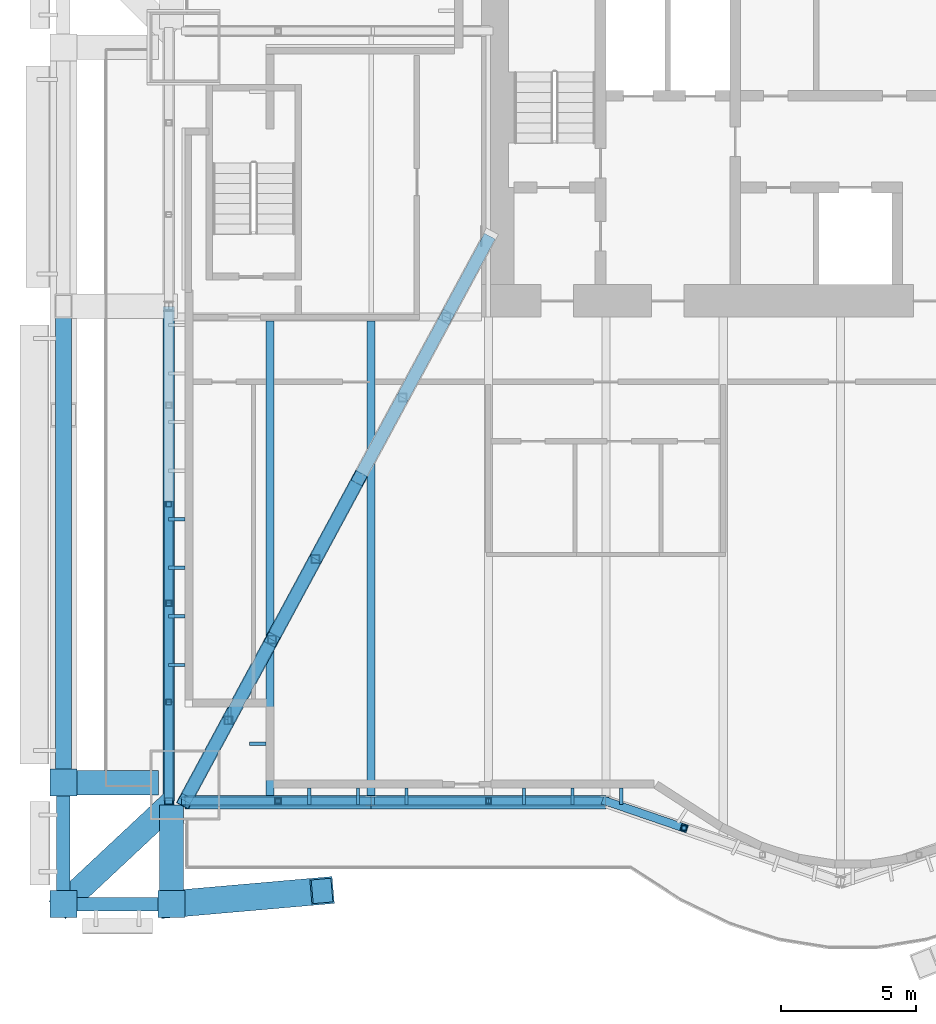
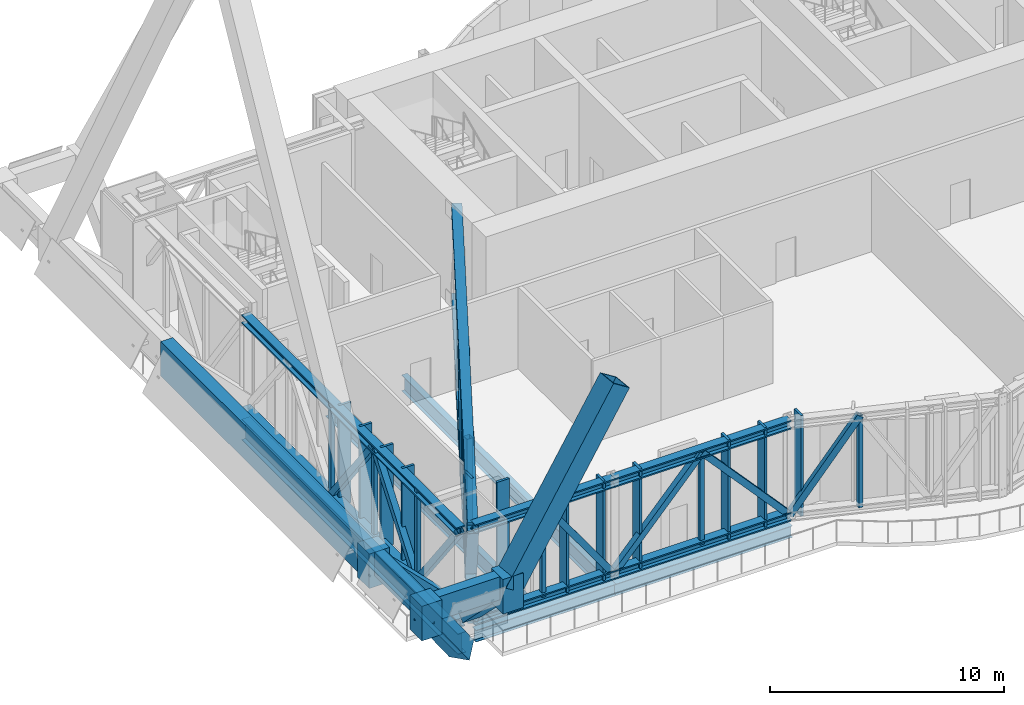
# One storey, part 4 of 30: 48 members, 8 beams, 1 element without a shape of its own.
"""IFC4 building model written with IfcOpenShell, lengths in metres."""

from ifc_helpers import new_model, si_unit, direction, frame, origin, origin_2d, place, context, subcontext, project, spatial, rectangle, hollow_rectangle, i_section, extrude, material, material_profile, profile_set, type_object, element, aggregate, save


model = new_model("IFC4")

# Units and contexts
model_context = context("Model", 3, precision=1e-05, world=origin(), true_north=direction((0.0, 1.0)))
body_context = subcontext(model_context, "Body", "Model", "MODEL_VIEW")
ifc_project = project(units=[si_unit("LENGTHUNIT", "METRE"), si_unit("AREAUNIT", "SQUARE_METRE"), si_unit("VOLUMEUNIT", "CUBIC_METRE"), si_unit("PLANEANGLEUNIT", "RADIAN"), si_unit("MASSUNIT", "GRAM", prefix="KILO")], contexts=[model_context])

# Site, building, storey
site_placement = place(None, origin())
site = spatial("IfcSite", under=ifc_project, at=site_placement, CompositionType="ELEMENT")
building_placement = place(site_placement, origin())
building = spatial("IfcBuilding", under=site, at=building_placement, Name="Bicima Exchange Tower", CompositionType="ELEMENT")
storey_placement = place(building_placement, frame((0.0, 0.0, 185.5)))
storey = spatial("IfcBuildingStorey", under=building, at=storey_placement, Name="L41", CompositionType="ELEMENT", Elevation=185.5)

# Curtain wall, members
ifc_material_1 = material(Name="Anodised bronze aluminium", Category="aluminium")
curtain_wall_type = type_object("IfcCurtainWallType", Name="Band blade screen", PredefinedType="NOTDEFINED", material=ifc_material_1)
curtain_wall_placement = place(storey_placement, origin())
curtain_wall = element("IfcCurtainWall", 1, at=curtain_wall_placement, inside=storey, type_object=curtain_wall_type, Name="Band blade screen L41", PredefinedType="NOTDEFINED")
ifc_material_profile_1 = material_profile(ifc_material_1, rectangle(XDim=0.60009765625, YDim=0.1201171875, at=origin_2d()))
ifc_profile_set_1 = profile_set([ifc_material_profile_1], Name="Anodised bronze aluminium")
member_type_1 = type_object("IfcMemberType", Name="Band blade fin 600 x 120", PredefinedType="USERDEFINED", material=ifc_profile_set_1)
member_1_placement = place(storey_placement, frame((-33.300048828125, -20.4921875, 0.0), z_axis=(0.0, 0.0, 1.0), x_axis=(1.0, 0.0, 0.0)))
member_1 = element("IfcMember", 2, at=member_1_placement, type_object=member_type_1, Name="Band blade fin 17", ObjectType="FIN", PredefinedType="USERDEFINED", context=body_context, shape_type="SweptSolid", body=[
    extrude(rectangle(XDim=0.60009765625, YDim=0.1201171875, at=origin_2d()), origin(), (0.0, 0.0, 1.0), 5.25),
])
member_2_placement = place(storey_placement, frame((-33.300048828125, -22.2919921875, 0.0), z_axis=(0.0, 0.0, 1.0), x_axis=(1.0, 0.0, 0.0)))
member_2 = element("IfcMember", 3, at=member_2_placement, type_object=member_type_1, Name="Band blade fin 18", ObjectType="FIN", PredefinedType="USERDEFINED", context=body_context, shape_type="SweptSolid", body=[
    extrude(rectangle(XDim=0.60009765625, YDim=0.1201171875, at=origin_2d()), origin(), (0.0, 0.0, 1.0), 5.25),
])
member_3_placement = place(storey_placement, frame((-33.300048828125, -24.092041015625, 0.0), z_axis=(0.0, 0.0, 1.0), x_axis=(1.0, 0.0, 0.0)))
member_3 = element("IfcMember", 4, at=member_3_placement, type_object=member_type_1, Name="Band blade fin 19", ObjectType="FIN", PredefinedType="USERDEFINED", context=body_context, shape_type="SweptSolid", body=[
    extrude(rectangle(XDim=0.60009765625, YDim=0.1201171875, at=origin_2d()), origin(), (0.0, 0.0, 1.0), 5.25),
])
member_4_placement = place(storey_placement, frame((-33.300048828125, -25.89208984375, 0.0), z_axis=(0.0, 0.0, 1.0), x_axis=(1.0, 0.0, 0.0)))
member_4 = element("IfcMember", 5, at=member_4_placement, type_object=member_type_1, Name="Band blade fin 20", ObjectType="FIN", PredefinedType="USERDEFINED", context=body_context, shape_type="SweptSolid", body=[
    extrude(rectangle(XDim=0.60009765625, YDim=0.1201171875, at=origin_2d()), origin(), (0.0, 0.0, 1.0), 5.25),
])
member_5_placement = place(storey_placement, frame((-31.35009765625, -27.760009765625, 0.0), z_axis=(0.0, 0.0, 1.0), x_axis=(0.0, 1.0, 0.0)))
member_5 = element("IfcMember", 6, at=member_5_placement, type_object=member_type_1, Name="Band blade fin 21", ObjectType="FIN", PredefinedType="USERDEFINED", context=body_context, shape_type="SweptSolid", body=[
    extrude(rectangle(XDim=0.60009765625, YDim=0.1201171875, at=origin_2d()), origin(), (0.0, 0.0, 1.0), 5.25),
])
member_6_placement = place(storey_placement, frame((-30.300048828125, -28.81005859375, 0.0), z_axis=(0.0, 0.0, 1.0), x_axis=(1.0, 0.0, 0.0)))
member_6 = element("IfcMember", 7, at=member_6_placement, type_object=member_type_1, Name="Band blade fin 22", ObjectType="FIN", PredefinedType="USERDEFINED", context=body_context, shape_type="SweptSolid", body=[
    extrude(rectangle(XDim=0.60009765625, YDim=0.1201171875, at=origin_2d()), origin(), (0.0, 0.0, 1.0), 5.25),
])
member_7_placement = place(storey_placement, frame((-28.38720703125, -30.760009765625, 0.0), z_axis=(0.0, 0.0, 1.0), x_axis=(0.0, 1.0, 0.0)))
member_7 = element("IfcMember", 8, at=member_7_placement, type_object=member_type_1, Name="Band blade fin 23", ObjectType="FIN", PredefinedType="USERDEFINED", context=body_context, shape_type="SweptSolid", body=[
    extrude(rectangle(XDim=0.60009765625, YDim=0.1201171875, at=origin_2d()), origin(), (0.0, 0.0, 1.0), 5.25),
])
member_8_placement = place(storey_placement, frame((-26.587158203125, -30.760009765625, 0.0), z_axis=(0.0, 0.0, 1.0), x_axis=(0.0, 1.0, 0.0)))
member_8 = element("IfcMember", 9, at=member_8_placement, type_object=member_type_1, Name="Band blade fin 24", ObjectType="FIN", PredefinedType="USERDEFINED", context=body_context, shape_type="SweptSolid", body=[
    extrude(rectangle(XDim=0.60009765625, YDim=0.1201171875, at=origin_2d()), origin(), (0.0, 0.0, 1.0), 5.25),
])
member_9_placement = place(storey_placement, frame((-24.787109375, -30.760009765625, 0.0), z_axis=(0.0, 0.0, 1.0), x_axis=(0.0, 1.0, 0.0)))
member_9 = element("IfcMember", 10, at=member_9_placement, type_object=member_type_1, Name="Band blade fin 25", ObjectType="FIN", PredefinedType="USERDEFINED", context=body_context, shape_type="SweptSolid", body=[
    extrude(rectangle(XDim=0.60009765625, YDim=0.1201171875, at=origin_2d()), origin(), (0.0, 0.0, 1.0), 5.25),
])
member_10_placement = place(storey_placement, frame((-20.432373046875, -30.760009765625, 0.0), z_axis=(0.0, 0.0, 1.0), x_axis=(0.0, 1.0, 0.0)))
member_10 = element("IfcMember", 11, at=member_10_placement, type_object=member_type_1, Name="Band blade fin 26", ObjectType="FIN", PredefinedType="USERDEFINED", context=body_context, shape_type="SweptSolid", body=[
    extrude(rectangle(XDim=0.60009765625, YDim=0.1201171875, at=origin_2d()), origin(), (0.0, 0.0, 1.0), 5.25),
])
member_11_placement = place(storey_placement, frame((-18.63232421875, -30.760009765625, 0.0), z_axis=(0.0, 0.0, 1.0), x_axis=(0.0, 1.0, 0.0)))
member_11 = element("IfcMember", 12, at=member_11_placement, type_object=member_type_1, Name="Band blade fin 27", ObjectType="FIN", PredefinedType="USERDEFINED", context=body_context, shape_type="SweptSolid", body=[
    extrude(rectangle(XDim=0.60009765625, YDim=0.1201171875, at=origin_2d()), origin(), (0.0, 0.0, 1.0), 5.25),
])
member_12_placement = place(storey_placement, frame((-16.832275390625, -30.760009765625, 0.0), z_axis=(0.0, 0.0, 1.0), x_axis=(0.0, 1.0, 0.0)))
member_12 = element("IfcMember", 13, at=member_12_placement, type_object=member_type_1, Name="Band blade fin 28", ObjectType="FIN", PredefinedType="USERDEFINED", context=body_context, shape_type="SweptSolid", body=[
    extrude(rectangle(XDim=0.60009765625, YDim=0.1201171875, at=origin_2d()), origin(), (0.0, 0.0, 1.0), 5.25),
])
aggregate(curtain_wall, [member_1, member_2, member_3, member_4, member_5, member_6, member_7, member_8, member_9, member_10, member_11, member_12])

# Beams
ifc_material_2 = material(Name="Steel ASTM A572 Gr 50", Category="steel")
ifc_material_profile_2 = material_profile(ifc_material_2, hollow_rectangle(XDim=0.5, YDim=1.199951171875, WallThickness=0.0400390625, at=origin_2d()))
ifc_profile_set_2 = profile_set([ifc_material_profile_2], Name="Steel ASTM A572 Gr 50")
beam_type_1 = type_object("IfcBeamType", Name="Belt girder BOX 500x1200x40", PredefinedType="BEAM", material=ifc_profile_set_2)
beam_1_placement = place(storey_placement, frame((-37.5, -34.756591796875, 4.64990234375), z_axis=(1.0, 0.0, 0.0), x_axis=(0.0, 1.0, 0.0)))
element("IfcBeam", 14, at=beam_1_placement, inside=storey, type_object=beam_type_1, Name="Belt girder", PredefinedType="BEAM", context=body_context, shape_type="SweptSolid", body=[
    extrude(hollow_rectangle(XDim=0.5, YDim=1.199951171875, WallThickness=0.0400390625, at=origin_2d()), origin(), (0.0, 0.0, 1.0), 4.0),
])
beam_2_placement = place(storey_placement, frame((-37.5, -30.256591796875, 4.64990234375), z_axis=(0.0, -1.0, 0.0), x_axis=(1.0, 0.0, 0.0)))
element("IfcBeam", 15, at=beam_2_placement, inside=storey, type_object=beam_type_1, Name="Belt girder", PredefinedType="BEAM", context=body_context, shape_type="SweptSolid", body=[
    extrude(hollow_rectangle(XDim=0.5, YDim=1.199951171875, WallThickness=0.0400390625, at=origin_2d()), origin(), (0.0, 0.0, 1.0), 4.5),
])
ifc_material_profile_3 = material_profile(ifc_material_2, hollow_rectangle(XDim=0.60009765625, YDim=1.800048828125, WallThickness=0.06005859375, at=origin_2d()))
ifc_profile_set_3 = profile_set([ifc_material_profile_3], Name="Steel ASTM A572 Gr 50")
beam_type_2 = type_object("IfcBeamType", Name="Belt girder BOX 600x1800x60", PredefinedType="BEAM", material=ifc_profile_set_3)
beam_3_placement = place(storey_placement, frame((-37.5, -12.60009765625, 4.35009765625), z_axis=(0.0, -1.0, 0.0), x_axis=(1.0, 0.0, 0.0)))
element("IfcBeam", 16, at=beam_3_placement, inside=storey, type_object=beam_type_2, Name="Belt girder", PredefinedType="BEAM", context=body_context, shape_type="SweptSolid", body=[
    extrude(hollow_rectangle(XDim=0.60009765625, YDim=1.800048828125, WallThickness=0.06005859375, at=origin_2d()), origin(), (0.0, 0.0, 1.0), 17.656494140625),
])

# Members
ifc_material_3 = material(Name="Steel ASTM A992 Gr 50", Category="steel")
ifc_material_profile_4 = material_profile(ifc_material_3, i_section(OverallWidth=0.419189453125, OverallDepth=0.45458984375, WebThickness=0.042236328125, FlangeThickness=0.067626953125, at=origin_2d()))
ifc_profile_set_4 = profile_set([ifc_material_profile_4], Name="Steel ASTM A992 Gr 50")
member_type_2 = type_object("IfcMemberType", Name="Belt truss chord W14x370", PredefinedType="CHORD", material=ifc_profile_set_4)
for number, where, z_axis, x_axis, name in (
    (17, (-33.0, -30.93798828125, 5.022705078125), (1.0, 0.0, 0.0), (0.0, 1.0, 0.0), "Top chord"),
    (18, (-33.0, -30.93798828125, 0.227294921875), (1.0, 0.0, 0.0), (0.0, 1.0, 0.0), "Bottom chord"),
):
    element("IfcMember", number, at=place(storey_placement, frame(where, z_axis=z_axis, x_axis=x_axis)), inside=storey, type_object=member_type_2, Name=name, PredefinedType="CHORD", context=body_context, shape_type="SweptSolid", body=[
        extrude(i_section(OverallWidth=0.419189453125, OverallDepth=0.45458984375, WebThickness=0.042236328125, FlangeThickness=0.067626953125, at=origin_2d()), origin(), (0.0, 0.0, 1.0), 6.89990234375),
    ])
for number, where, z_axis, x_axis, name in (
    (19, (-26.10009765625, -30.93798828125, 5.022705078125), (1.0, 0.0, 0.0), (0.0, 1.0, 0.0), "Top chord"),
    (20, (-26.10009765625, -30.93798828125, 0.227294921875), (1.0, 0.0, 0.0), (0.0, 1.0, 0.0), "Bottom chord"),
):
    element("IfcMember", number, at=place(storey_placement, frame(where, z_axis=z_axis, x_axis=x_axis)), inside=storey, type_object=member_type_2, Name=name, PredefinedType="CHORD", context=body_context, shape_type="SweptSolid", body=[
        extrude(i_section(OverallWidth=0.419189453125, OverallDepth=0.45458984375, WebThickness=0.042236328125, FlangeThickness=0.067626953125, at=origin_2d()), origin(), (0.0, 0.0, 1.0), 8.7001953125),
    ])
for number, where, z_axis, x_axis, name in (
    (21, (-33.60009765625, -12.60009765625, 5.022705078125), (0.0, -1.0, 0.0), (1.0, 0.0, 0.0), "Top chord"),
    (22, (-33.60009765625, -12.60009765625, 0.227294921875), (0.0, -1.0, 0.0), (1.0, 0.0, 0.0), "Bottom chord"),
):
    element("IfcMember", number, at=place(storey_placement, frame(where, z_axis=z_axis, x_axis=x_axis)), inside=storey, type_object=member_type_2, Name=name, PredefinedType="CHORD", context=body_context, shape_type="SweptSolid", body=[
        extrude(i_section(OverallWidth=0.419189453125, OverallDepth=0.45458984375, WebThickness=0.042236328125, FlangeThickness=0.067626953125, at=origin_2d()), origin(), (0.0, 0.0, 1.0), 18.337890625),
    ])
ifc_material_profile_5 = material_profile(ifc_material_2, hollow_rectangle(XDim=0.3046875, YDim=0.3046875, WallThickness=0.01171875, at=origin_2d()))
ifc_profile_set_5 = profile_set([ifc_material_profile_5], Name="Steel ASTM A572 Gr 50")
member_type_3 = type_object("IfcMemberType", Name="Belt truss diagonal HSS12x12x1/2", PredefinedType="STRUT", material=ifc_profile_set_5)
for number, where, z_axis, x_axis, name in (
    (23, (-33.0, -30.93798828125, 0.227294921875), (0.583998756388, 0.0, 0.811754551905), (0.0, 1.0, 0.0), "Truss diagonal"),
    (24, (-29.550048828125, -30.93798828125, 5.022705078125), (0.583998756388, 0.0, -0.811754551905), (0.0, 1.0, 0.0), "Truss diagonal"),
):
    element("IfcMember", number, at=place(storey_placement, frame(where, z_axis=z_axis, x_axis=x_axis)), inside=storey, type_object=member_type_3, Name=name, PredefinedType="STRUT", context=body_context, shape_type="SweptSolid", body=[
        extrude(hollow_rectangle(XDim=0.3046875, YDim=0.3046875, WallThickness=0.01171875, at=origin_2d()), origin(), (0.0, 0.0, 1.0), 5.907470703125),
    ])
for number, where, z_axis, x_axis, name in (
    (25, (-26.10009765625, -30.93798828125, 0.227294921875), (0.671880370918, 0.0, 0.740659683779), (0.0, 1.0, 0.0), "Truss diagonal"),
    (26, (-21.75, -30.93798828125, 5.022705078125), (0.671880370918, 0.0, -0.740659683779), (0.0, 1.0, 0.0), "Truss diagonal"),
):
    element("IfcMember", number, at=place(storey_placement, frame(where, z_axis=z_axis, x_axis=x_axis)), inside=storey, type_object=member_type_3, Name=name, PredefinedType="STRUT", context=body_context, shape_type="SweptSolid", body=[
        extrude(hollow_rectangle(XDim=0.3046875, YDim=0.3046875, WallThickness=0.01171875, at=origin_2d()), origin(), (0.0, 0.0, 1.0), 6.474609375),
    ])
member_13_placement = place(storey_placement, frame((-17.39990234375, -30.93798828125, 0.227294921875), z_axis=(0.509464516765, -0.175168638362, 0.842473651987), x_axis=(0.325146518908, 0.945663651222, 0.0)))
element("IfcMember", 27, at=member_13_placement, inside=storey, type_object=member_type_3, Name="Truss diagonal", PredefinedType="STRUT", context=body_context, shape_type="SweptSolid", body=[
    extrude(hollow_rectangle(XDim=0.3046875, YDim=0.3046875, WallThickness=0.01171875, at=origin_2d()), origin(), (0.0, 0.0, 1.0), 5.692138671875),
])
for number, where, z_axis, x_axis, name in (
    (28, (-33.60009765625, -19.935302734375, 0.227294921875), (0.0, -0.607492136235, 0.794325691648), (1.0, 0.0, 0.0), "Truss diagonal"),
    (29, (-33.60009765625, -23.602783203125, 5.022705078125), (0.0, -0.60751765115, -0.794306177454), (1.0, 0.0, 0.0), "Truss diagonal"),
    (30, (-33.60009765625, -27.2705078125, 0.227294921875), (0.0, -0.607492136235, 0.794325691648), (1.0, 0.0, 0.0), "Truss diagonal"),
):
    element("IfcMember", number, at=place(storey_placement, frame(where, z_axis=z_axis, x_axis=x_axis)), inside=storey, type_object=member_type_3, Name=name, PredefinedType="STRUT", context=body_context, shape_type="SweptSolid", body=[
        extrude(hollow_rectangle(XDim=0.3046875, YDim=0.3046875, WallThickness=0.01171875, at=origin_2d()), origin(), (0.0, 0.0, 1.0), 6.037109375),
    ])
ifc_material_profile_6 = material_profile(ifc_material_2, hollow_rectangle(XDim=0.203125, YDim=0.203125, WallThickness=0.01171875, at=origin_2d()))
ifc_profile_set_6 = profile_set([ifc_material_profile_6], Name="Steel ASTM A572 Gr 50")
member_type_4 = type_object("IfcMemberType", Name="Belt truss post HSS8x8x1/2", PredefinedType="POST", material=ifc_profile_set_6)
for number, where, z_axis, x_axis, name in (
    (31, (-29.550048828125, -30.93798828125, 0.227294921875), (0.0, 0.0, 1.0), (1.0, 0.0, 0.0), "Truss post"),
    (32, (-21.75, -30.93798828125, 0.227294921875), (0.0, 0.0, 1.0), (1.0, 0.0, 0.0), "Truss post"),
    (33, (-14.5, -31.93505859375, 0.227294921875), (0.0, 0.0, 1.0), (1.0, 0.0, 0.0), "Truss post"),
    (34, (-33.60009765625, -19.935302734375, 0.227294921875), (0.0, 0.0, 1.0), (1.0, 0.0, 0.0), "Truss post"),
    (35, (-33.60009765625, -23.602783203125, 0.227294921875), (0.0, 0.0, 1.0), (1.0, 0.0, 0.0), "Truss post"),
    (36, (-33.60009765625, -27.2705078125, 0.227294921875), (0.0, 0.0, 1.0), (1.0, 0.0, 0.0), "Truss post"),
):
    element("IfcMember", number, at=place(storey_placement, frame(where, z_axis=z_axis, x_axis=x_axis)), inside=storey, type_object=member_type_4, Name=name, PredefinedType="POST", context=body_context, shape_type="SweptSolid", body=[
        extrude(hollow_rectangle(XDim=0.203125, YDim=0.203125, WallThickness=0.01171875, at=origin_2d()), origin(), (0.0, 0.0, 1.0), 4.79541015625),
    ])

# Beam
ifc_material_profile_7 = material_profile(ifc_material_3, i_section(OverallWidth=0.4013671875, OverallDepth=1.089599609375, WebThickness=0.01806640625, FlangeThickness=0.031005859375, at=origin_2d()))
ifc_profile_set_7 = profile_set([ifc_material_profile_7], Name="Steel ASTM A992 Gr 50")
beam_type_3 = type_object("IfcBeamType", Name="End girder W44x230", PredefinedType="BEAM", material=ifc_profile_set_7)
beam_4_placement = place(storey_placement, frame((-33.60009765625, -12.60009765625, -0.744873046875), z_axis=(0.0, -1.0, 0.0), x_axis=(1.0, 0.0, 0.0)))
element("IfcBeam", 37, at=beam_4_placement, inside=storey, type_object=beam_type_3, Name="End girder", PredefinedType="BEAM", context=body_context, shape_type="SweptSolid", body=[
    extrude(i_section(OverallWidth=0.4013671875, OverallDepth=1.089599609375, WebThickness=0.01806640625, FlangeThickness=0.031005859375, at=origin_2d()), origin(), (0.0, 0.0, 1.0), 18.4599609375),
])

# Members
ifc_material_profile_8 = material_profile(ifc_material_2, hollow_rectangle(XDim=1.0, YDim=1.0, WallThickness=0.06005859375, at=origin_2d()))
ifc_profile_set_8 = profile_set([ifc_material_profile_8], Name="Steel ASTM A572 Gr 50")
member_type_5 = type_object("IfcMemberType", Name="Exo mega brace BOX 1000x1000x60", PredefinedType="BRACE", material=ifc_profile_set_8)
member_14_placement = place(storey_placement, frame((-33.5, -34.756591796875, 4.5), z_axis=(0.552141893992, 0.048239079286, 0.832353482679), x_axis=(-0.087035637192, 0.996205198671, 0.0)))
element("IfcMember", 38, at=member_14_placement, inside=storey, type_object=member_type_5, Name="Exo mega brace front", PredefinedType="BRACE", context=body_context, shape_type="SweptSolid", body=[
    extrude(hollow_rectangle(XDim=1.0, YDim=1.0, WallThickness=0.06005859375, at=origin_2d()), origin(), (0.0, 0.0, 1.0), 10.112060546875),
])
ifc_material_4 = material(Name="Cast steel ASTM A216 Gr WCB", Category="steel")
ifc_material_profile_9 = material_profile(ifc_material_4, rectangle(XDim=1.0, YDim=1.0, at=origin_2d()))
ifc_profile_set_9 = profile_set([ifc_material_profile_9], Name="Cast steel ASTM A216 Gr WCB")
member_type_6 = type_object("IfcMemberType", Name="Exo node block", PredefinedType="POST", material=ifc_profile_set_9)
for number, where, z_axis, x_axis, name in (
    (39, (-37.5, -34.756591796875, 3.449951171875), (0.0, 0.0, 1.0), (1.0, 0.0, 0.0), "Exo node block"),
    (40, (-33.5, -34.756591796875, 3.449951171875), (0.0, 0.0, 1.0), (1.0, 0.0, 0.0), "Exo node block"),
    (41, (-37.5, -30.256591796875, 3.449951171875), (0.0, 0.0, 1.0), (1.0, 0.0, 0.0), "Exo node block"),
):
    element("IfcMember", number, at=place(storey_placement, frame(where, z_axis=z_axis, x_axis=x_axis)), inside=storey, type_object=member_type_6, Name=name, PredefinedType="POST", context=body_context, shape_type="SweptSolid", body=[
        extrude(rectangle(XDim=1.0, YDim=1.0, at=origin_2d()), origin(), (0.0, 0.0, 1.0), 1.800048828125),
    ])
ifc_material_profile_10 = material_profile(ifc_material_2, hollow_rectangle(XDim=0.89990234375, YDim=0.89990234375, WallThickness=0.050048828125, at=origin_2d()))
ifc_profile_set_10 = profile_set([ifc_material_profile_10], Name="Steel ASTM A572 Gr 50")
member_type_7 = type_object("IfcMemberType", Name="Exo outrigger stub BOX 900x900x50", PredefinedType="STRUT", material=ifc_profile_set_10)
member_15_placement = place(storey_placement, frame((-33.70703125, -31.20751953125, -0.89453125), z_axis=(-0.506479341854, -0.47391157264, 0.720337766324), x_axis=(0.683240404749, -0.730193501285, 0.0)))
element("IfcMember", 42, at=member_15_placement, inside=storey, type_object=member_type_7, Name="Exo outrigger stub", PredefinedType="STRUT", context=body_context, shape_type="SweptSolid", body=[
    extrude(hollow_rectangle(XDim=0.89990234375, YDim=0.89990234375, WallThickness=0.050048828125, at=origin_2d()), origin(), (0.0, 0.0, 1.0), 7.48876953125),
])
member_16_placement = place(storey_placement, frame((-33.5, -31.407958984375, 1.1513671875), z_axis=(0.0, -0.707106781187, 0.707106781187), x_axis=(1.0, 0.0, 0.0)))
element("IfcMember", 43, at=member_16_placement, inside=storey, type_object=member_type_7, Name="Exo outrigger stub", PredefinedType="STRUT", context=body_context, shape_type="SweptSolid", body=[
    extrude(hollow_rectangle(XDim=0.89990234375, YDim=0.89990234375, WallThickness=0.050048828125, at=origin_2d()), origin(), (0.0, 0.0, 1.0), 4.735595703125),
])
member_17_placement = place(storey_placement, frame((-34.300048828125, -30.256591796875, 1.300048828125), z_axis=(-0.707106781187, 0.0, 0.707106781187), x_axis=(0.0, -1.0, 0.0)))
element("IfcMember", 44, at=member_17_placement, inside=storey, type_object=member_type_7, Name="Exo outrigger stub", PredefinedType="STRUT", context=body_context, shape_type="SweptSolid", body=[
    extrude(hollow_rectangle(XDim=0.89990234375, YDim=0.89990234375, WallThickness=0.050048828125, at=origin_2d()), origin(), (0.0, 0.0, 1.0), 4.525390625),
])

# Beams
ifc_material_profile_11 = material_profile(ifc_material_3, i_section(OverallWidth=0.2919921875, OverallDepth=0.835693359375, WebThickness=0.013916015625, FlangeThickness=0.018798828125, at=origin_2d()))
ifc_profile_set_11 = profile_set([ifc_material_profile_11], Name="Steel ASTM A992 Gr 50")
beam_type_4 = type_object("IfcBeamType", Name="Floor beam W33x118", PredefinedType="JOIST", material=ifc_profile_set_11)
for number, where, z_axis, x_axis, name in (
    (45, (-29.85009765625, -13.15234375, -0.617919921875), (0.0, -1.0, 0.0), (1.0, 0.0, 0.0), "Floor beam"),
    (46, (-26.10009765625, -13.15234375, -0.617919921875), (0.0, -1.0, 0.0), (1.0, 0.0, 0.0), "Floor beam"),
):
    element("IfcBeam", number, at=place(storey_placement, frame(where, z_axis=z_axis, x_axis=x_axis)), inside=storey, type_object=beam_type_4, Name=name, PredefinedType="JOIST", context=body_context, shape_type="SweptSolid", body=[
        extrude(i_section(OverallWidth=0.2919921875, OverallDepth=0.835693359375, WebThickness=0.013916015625, FlangeThickness=0.018798828125, at=origin_2d()), origin(), (0.0, 0.0, 1.0), 17.7451171875),
    ])
ifc_material_profile_12 = material_profile(ifc_material_3, i_section(OverallWidth=0.3251953125, OverallDepth=0.612060546875, WebThickness=0.0126953125, FlangeThickness=0.01904296875, at=origin_2d()))
ifc_profile_set_12 = profile_set([ifc_material_profile_12], Name="Steel ASTM A992 Gr 50")
beam_type_5 = type_object("IfcBeamType", Name="Front girder W24x104", PredefinedType="BEAM", material=ifc_profile_set_12)
beam_5_placement = place(storey_placement, frame((-33.0, -31.06005859375, -0.506103515625), z_axis=(1.0, 0.0, 0.0), x_axis=(0.0, 1.0, 0.0)))
element("IfcBeam", 47, at=beam_5_placement, inside=storey, type_object=beam_type_5, Name="Front girder", PredefinedType="BEAM", context=body_context, shape_type="SweptSolid", body=[
    extrude(i_section(OverallWidth=0.3251953125, OverallDepth=0.612060546875, WebThickness=0.0126953125, FlangeThickness=0.01904296875, at=origin_2d()), origin(), (0.0, 0.0, 1.0), 6.89990234375),
])
beam_6_placement = place(storey_placement, frame((-26.10009765625, -31.06005859375, -0.506103515625), z_axis=(1.0, 0.0, 0.0), x_axis=(0.0, 1.0, 0.0)))
element("IfcBeam", 48, at=beam_6_placement, inside=storey, type_object=beam_type_5, Name="Front girder", PredefinedType="BEAM", context=body_context, shape_type="SweptSolid", body=[
    extrude(i_section(OverallWidth=0.3251953125, OverallDepth=0.612060546875, WebThickness=0.0126953125, FlangeThickness=0.01904296875, at=origin_2d()), origin(), (0.0, 0.0, 1.0), 8.7001953125),
])

# Members
ifc_material_profile_13 = material_profile(ifc_material_3, i_section(OverallWidth=0.45458984375, OverallDepth=0.56884765625, WebThickness=0.077880859375, FlangeThickness=0.124755859375, at=origin_2d()))
ifc_profile_set_13 = profile_set([ifc_material_profile_13], Name="Steel ASTM A992 Gr 50")
member_type_8 = type_object("IfcMemberType", Name="Outrigger truss chord W14x730", PredefinedType="CHORD", material=ifc_profile_set_13)
for number, where, z_axis, x_axis, name in (
    (49, (-21.699951171875, -10.0, 4.965576171875), (-0.47493852957, -0.880018973165, 0.0), (0.880018973165, -0.47493852957, 0.0), "Top chord"),
    (50, (-21.699951171875, -10.0, 0.284423828125), (-0.47493852957, -0.880018973165, 0.0), (0.880018973165, -0.47493852957, 0.0), "Bottom chord"),
):
    element("IfcMember", number, at=place(storey_placement, frame(where, z_axis=z_axis, x_axis=x_axis)), inside=storey, type_object=member_type_8, Name=name, PredefinedType="CHORD", context=body_context, shape_type="SweptSolid", body=[
        extrude(i_section(OverallWidth=0.45458984375, OverallDepth=0.56884765625, WebThickness=0.077880859375, FlangeThickness=0.124755859375, at=origin_2d()), origin(), (0.0, 0.0, 1.0), 23.792724609375),
    ])
ifc_material_profile_14 = material_profile(ifc_material_2, hollow_rectangle(XDim=0.508056640625, YDim=0.508056640625, WallThickness=0.017822265625, at=origin_2d()))
ifc_profile_set_14 = profile_set([ifc_material_profile_14], Name="Steel ASTM A572 Gr 50")
member_type_9 = type_object("IfcMemberType", Name="Outrigger truss diagonal HSS20x20x3/4", PredefinedType="STRUT", material=ifc_profile_set_14)
member_18_placement = place(storey_placement, frame((-26.54296875, -18.973388671875, 4.965576171875), z_axis=(-0.279002499617, -0.51706831422, -0.809195874703), x_axis=(0.880057909851, -0.474866376267, 0.0)))
element("IfcMember", 51, at=member_18_placement, inside=storey, type_object=member_type_9, Name="Truss diagonal", PredefinedType="STRUT", context=body_context, shape_type="SweptSolid", body=[
    extrude(hollow_rectangle(XDim=0.508056640625, YDim=0.508056640625, WallThickness=0.017822265625, at=origin_2d()), origin(), (0.0, 0.0, 1.0), 5.784912109375),
])
member_19_placement = place(storey_placement, frame((-28.156982421875, -21.964599609375, 0.284423828125), z_axis=(-0.279080332075, -0.517056136183, 0.809176816453), x_axis=(0.879997870198, -0.474977629417, 0.0)))
element("IfcMember", 52, at=member_19_placement, inside=storey, type_object=member_type_9, Name="Truss diagonal", PredefinedType="STRUT", context=body_context, shape_type="SweptSolid", body=[
    extrude(hollow_rectangle(XDim=0.508056640625, YDim=0.508056640625, WallThickness=0.017822265625, at=origin_2d()), origin(), (0.0, 0.0, 1.0), 5.78515625),
])
for number, where, z_axis, x_axis, name in (
    (53, (-29.771484375, -24.955810546875, 4.965576171875), (-0.279041416533, -0.517062225555, -0.80918634613), (0.880027890758, -0.474922005688, 0.0), "Truss diagonal"),
    (54, (-31.3857421875, -27.947021484375, 0.284423828125), (-0.279047505503, -0.51703130519, 0.809204003405), (0.880011688513, -0.474952027136, 0.0), "Truss diagonal"),
):
    element("IfcMember", number, at=place(storey_placement, frame(where, z_axis=z_axis, x_axis=x_axis)), inside=storey, type_object=member_type_9, Name=name, PredefinedType="STRUT", context=body_context, shape_type="SweptSolid", body=[
        extrude(hollow_rectangle(XDim=0.508056640625, YDim=0.508056640625, WallThickness=0.017822265625, at=origin_2d()), origin(), (0.0, 0.0, 1.0), 5.784912109375),
    ])
member_type_10 = type_object("IfcMemberType", Name="Outrigger truss post HSS12x12x1/2", PredefinedType="POST", material=ifc_profile_set_5)
for number, where, z_axis, x_axis, name in (
    (55, (-28.156982421875, -21.964599609375, 0.284423828125), (0.0, 0.0, 1.0), (1.0, 0.0, 0.0), "Truss post"),
    (56, (-29.771484375, -24.955810546875, 0.284423828125), (0.0, 0.0, 1.0), (1.0, 0.0, 0.0), "Truss post"),
    (57, (-31.3857421875, -27.947021484375, 0.284423828125), (0.0, 0.0, 1.0), (1.0, 0.0, 0.0), "Truss post"),
):
    element("IfcMember", number, at=place(storey_placement, frame(where, z_axis=z_axis, x_axis=x_axis)), inside=storey, type_object=member_type_10, Name=name, PredefinedType="POST", context=body_context, shape_type="SweptSolid", body=[
        extrude(hollow_rectangle(XDim=0.3046875, YDim=0.3046875, WallThickness=0.01171875, at=origin_2d()), origin(), (0.0, 0.0, 1.0), 4.68115234375),
    ])

save(model, "model.ifc")
